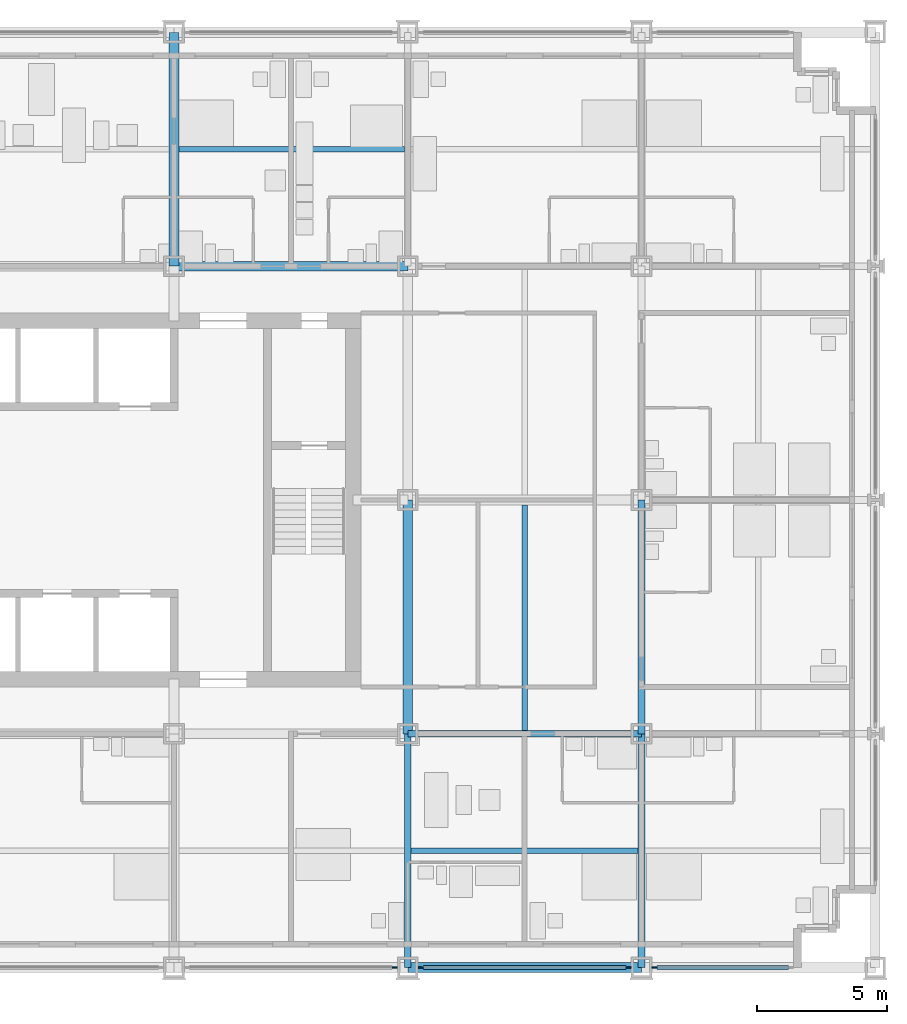
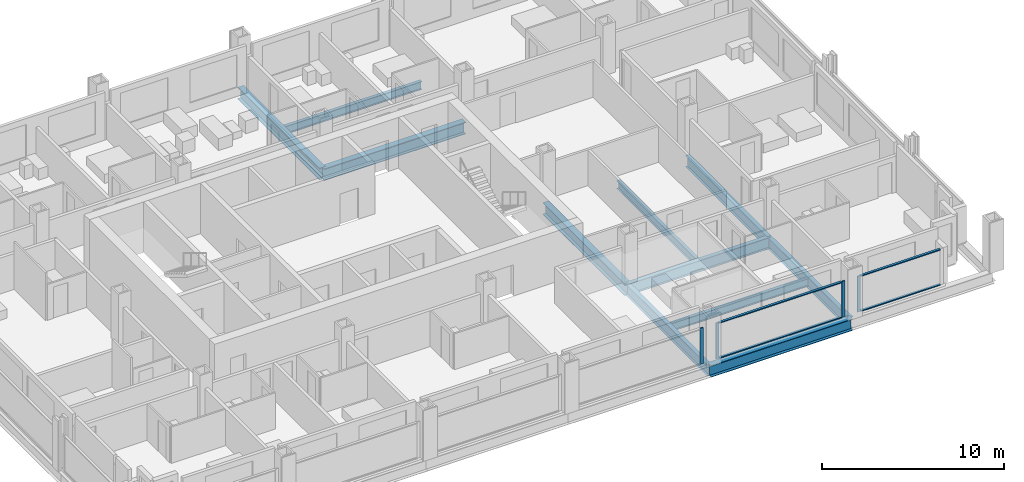
# One storey, part 5 of 18: 11 beams, 8 members, 3 elements without a shape of their own.
"""IFC4 building model written with IfcOpenShell, lengths in metres."""

from ifc_helpers import new_model, si_unit, direction, frame, origin, origin_2d, place, context, subcontext, project, spatial, rectangle, i_section, extrude, material, material_profile, profile_set, type_object, element, aggregate, save


model = new_model("IFC4")

# Units and contexts
model_context = context("Model", 3, precision=1e-05, world=origin(), true_north=direction((0.0, 1.0)))
body_context = subcontext(model_context, "Body", "Model", "MODEL_VIEW")
ifc_project = project(units=[si_unit("LENGTHUNIT", "METRE"), si_unit("AREAUNIT", "SQUARE_METRE"), si_unit("VOLUMEUNIT", "CUBIC_METRE"), si_unit("PLANEANGLEUNIT", "RADIAN"), si_unit("MASSUNIT", "GRAM", prefix="KILO")], contexts=[model_context])

# Site, building, storey
site_placement = place(None, origin())
site = spatial("IfcSite", under=ifc_project, at=site_placement, CompositionType="ELEMENT")
building_placement = place(site_placement, origin())
building = spatial("IfcBuilding", under=site, at=building_placement, Name="Loomwork Tower", CompositionType="ELEMENT")
storey_placement = place(building_placement, frame((0.0, 0.0, 34.800048828125)))
storey = spatial("IfcBuildingStorey", under=building, at=storey_placement, Name="L07", CompositionType="ELEMENT", Elevation=34.800048828125)

# Beams
ifc_material_1 = material(Name="Steel ASTM A992", Category="steel")
ifc_material_profile_1 = material_profile(ifc_material_1, i_section(OverallWidth=0.383544921875, OverallDepth=0.794921875, WebThickness=0.02099609375, FlangeThickness=0.0380859375, at=origin_2d()), Name="W30x235")
ifc_profile_set_1 = profile_set([ifc_material_profile_1], Name="Steel ASTM A992")
beam_type_1 = type_object("IfcBeamType", Name="CORE FLANK GIRDER W30x235", PredefinedType="BEAM", material=ifc_profile_set_1)
for number, where, z_axis, x_axis, name in (
    (1, (27.0, 27.0, -0.59765625), (1.0, 0.0, 0.0), (0.0, 1.0, 0.0), "Core Flank Girder G/5-G/6 L07"),
    (2, (27.0, 27.0, -0.59765625), (0.0, 1.0, 0.0), (-1.0, 0.0, 0.0), "Core Flank Girder G/5-H/5 L07"),
    (3, (36.0, 9.0, -0.59765625), (0.0, 1.0, 0.0), (-1.0, 0.0, 0.0), "Core Flank Girder E/6-F/6 L07"),
):
    element("IfcBeam", number, at=place(storey_placement, frame(where, z_axis=z_axis, x_axis=x_axis)), inside=storey, type_object=beam_type_1, Name=name, PredefinedType="BEAM", context=body_context, shape_type="SweptSolid", body=[
        extrude(i_section(OverallWidth=0.383544921875, OverallDepth=0.794921875, WebThickness=0.02099609375, FlangeThickness=0.0380859375, at=origin_2d()), origin(), (0.0, 0.0, 1.0), 9.0),
    ])
ifc_material_2 = material(Name="Steel ASTM A992", Category="steel")
ifc_material_profile_2 = material_profile(ifc_material_2, i_section(OverallWidth=0.2666015625, OverallDepth=0.761962890625, WebThickness=0.014404296875, FlangeThickness=0.021484375, at=origin_2d()), Name="W30x116")
ifc_profile_set_2 = profile_set([ifc_material_profile_2], Name="Steel ASTM A992")
beam_type_2 = type_object("IfcBeamType", Name="FLOOR GIRDER W30x116", PredefinedType="BEAM", material=ifc_profile_set_2)
for number, where, z_axis, x_axis, name in (
    (4, (36.0, 9.0, -0.5810546875), (1.0, 0.0, 0.0), (0.0, 1.0, 0.0), "Floor Girder E/6-E/7 L07"),
    (5, (36.0, 0.0, -0.5810546875), (0.0, 1.0, 0.0), (-1.0, 0.0, 0.0), "Floor Girder D/6-E/6 L07"),
    (6, (45.0, 0.0, -0.5810546875), (0.0, 1.0, 0.0), (-1.0, 0.0, 0.0), "Floor Girder D/7-E/7 L07"),
    (7, (45.0, 9.0, -0.5810546875), (0.0, 1.0, 0.0), (-1.0, 0.0, 0.0), "Floor Girder E/7-F/7 L07"),
):
    element("IfcBeam", number, at=place(storey_placement, frame(where, z_axis=z_axis, x_axis=x_axis)), inside=storey, type_object=beam_type_2, Name=name, PredefinedType="BEAM", context=body_context, shape_type="SweptSolid", body=[
        extrude(i_section(OverallWidth=0.2666015625, OverallDepth=0.761962890625, WebThickness=0.014404296875, FlangeThickness=0.021484375, at=origin_2d()), origin(), (0.0, 0.0, 1.0), 9.0),
    ])
ifc_material_3 = material(Name="Steel ASTM A992", Category="steel")
ifc_material_profile_3 = material_profile(ifc_material_3, i_section(OverallWidth=0.2109375, OverallDepth=0.53857421875, WebThickness=0.011474609375, FlangeThickness=0.018798828125, at=origin_2d()), Name="W21x73")
ifc_profile_set_3 = profile_set([ifc_material_profile_3], Name="Steel ASTM A992")
beam_type_3 = type_object("IfcBeamType", Name="FLOOR JOIST W21x73", PredefinedType="JOIST", material=ifc_profile_set_3)
beam_1_placement = place(storey_placement, frame((27.19091796875, 31.5, -0.46923828125), z_axis=(1.0, 0.0, 0.0), x_axis=(0.0, 1.0, 0.0)))
element("IfcBeam", 8, at=beam_1_placement, inside=storey, type_object=beam_type_3, Name="Floor Joist 27.000,31.500-36.000,31.500 L07", PredefinedType="JOIST", context=body_context, shape_type="SweptSolid", body=[
    extrude(i_section(OverallWidth=0.2109375, OverallDepth=0.53857421875, WebThickness=0.011474609375, FlangeThickness=0.018798828125, at=origin_2d()), origin(), (0.0, 0.0, 1.0), 8.676025390625),
])
beam_2_placement = place(storey_placement, frame((36.133056640625, 4.5, -0.46923828125), z_axis=(1.0, 0.0, 0.0), x_axis=(0.0, 1.0, 0.0)))
element("IfcBeam", 9, at=beam_2_placement, inside=storey, type_object=beam_type_3, Name="Floor Joist 36.000,4.500-45.000,4.500 L07", PredefinedType="JOIST", context=body_context, shape_type="SweptSolid", body=[
    extrude(i_section(OverallWidth=0.2109375, OverallDepth=0.53857421875, WebThickness=0.011474609375, FlangeThickness=0.018798828125, at=origin_2d()), origin(), (0.0, 0.0, 1.0), 8.73388671875),
])
beam_3_placement = place(storey_placement, frame((40.5, 9.133056640625, -0.46923828125), z_axis=(0.0, 1.0, 0.0), x_axis=(-1.0, 0.0, 0.0)))
element("IfcBeam", 10, at=beam_3_placement, inside=storey, type_object=beam_type_3, Name="Floor Joist 40.500,9.000-40.500,18.000 L07", PredefinedType="JOIST", context=body_context, shape_type="SweptSolid", body=[
    extrude(i_section(OverallWidth=0.2109375, OverallDepth=0.53857421875, WebThickness=0.011474609375, FlangeThickness=0.018798828125, at=origin_2d()), origin(), (0.0, 0.0, 1.0), 8.676025390625),
])

# Curtain wall, member
ifc_material_4 = material(Name="Aluminium curtain wall frame", Category="aluminium")
curtain_wall_type = type_object("IfcCurtainWallType", Name="Outer skin glazing hotel", PredefinedType="NOTDEFINED", material=ifc_material_4)
curtain_wall_1_placement = place(storey_placement, origin())
curtain_wall_1 = element("IfcCurtainWall", 11, at=curtain_wall_1_placement, inside=storey, type_object=curtain_wall_type, Name="Outer skin glazing hotel cw/S-27", PredefinedType="NOTDEFINED")
ifc_material_5 = material(Name="Aluminium curtain wall frame", Category="aluminium")
ifc_material_profile_4 = material_profile(ifc_material_5, rectangle(XDim=0.06494140625, YDim=0.199951171875, at=origin_2d()), Name="AL 65x200")
ifc_profile_set_4 = profile_set([ifc_material_profile_4], Name="Aluminium curtain wall frame")
member_type_1 = type_object("IfcMemberType", Name="Outer skin glazing hotel mullion", PredefinedType="MULLION", material=ifc_profile_set_4)
member_1_placement = place(storey_placement, frame((35.5, 0.0, 0.0), z_axis=(0.0, 0.0, 1.0), x_axis=(0.0, 1.0, 0.0)))
member_1 = element("IfcMember", 12, at=member_1_placement, type_object=member_type_1, Name="CW1 mullion 2", PredefinedType="MULLION", context=body_context, shape_type="SweptSolid", body=[
    extrude(rectangle(XDim=0.06494140625, YDim=0.199951171875, at=origin_2d()), origin(), (0.0, 0.0, 1.0), 2.420166015625),
])
aggregate(curtain_wall_1, [member_1])

# Curtain wall, members
curtain_wall_2_placement = place(storey_placement, origin())
curtain_wall_2 = element("IfcCurtainWall", 13, at=curtain_wall_2_placement, inside=storey, type_object=curtain_wall_type, Name="Outer skin glazing hotel cw/S-36", PredefinedType="NOTDEFINED")
member_2_placement = place(storey_placement, frame((36.5, 0.0, 0.0), z_axis=(0.0, 0.0, 1.0), x_axis=(0.0, 1.0, 0.0)))
member_2 = element("IfcMember", 14, at=member_2_placement, type_object=member_type_1, Name="CW1 mullion 1", PredefinedType="MULLION", context=body_context, shape_type="SweptSolid", body=[
    extrude(rectangle(XDim=0.06494140625, YDim=0.199951171875, at=origin_2d()), origin(), (0.0, 0.0, 1.0), 2.420166015625),
])
member_3_placement = place(storey_placement, frame((44.5, 0.0, 0.0), z_axis=(0.0, 0.0, 1.0), x_axis=(0.0, 1.0, 0.0)))
member_3 = element("IfcMember", 15, at=member_3_placement, type_object=member_type_1, Name="CW1 mullion 2", PredefinedType="MULLION", context=body_context, shape_type="SweptSolid", body=[
    extrude(rectangle(XDim=0.06494140625, YDim=0.199951171875, at=origin_2d()), origin(), (0.0, 0.0, 1.0), 2.420166015625),
])

# Curtain wall, member
curtain_wall_3_placement = place(storey_placement, origin())
curtain_wall_3 = element("IfcCurtainWall", 16, at=curtain_wall_3_placement, inside=storey, type_object=curtain_wall_type, Name="Outer skin glazing hotel cw/S-45", PredefinedType="NOTDEFINED")
member_4_placement = place(storey_placement, frame((45.5, 0.0, 0.0), z_axis=(0.0, 0.0, 1.0), x_axis=(0.0, 1.0, 0.0)))
member_4 = element("IfcMember", 17, at=member_4_placement, type_object=member_type_1, Name="CW1 mullion 1", PredefinedType="MULLION", context=body_context, shape_type="SweptSolid", body=[
    extrude(rectangle(XDim=0.06494140625, YDim=0.199951171875, at=origin_2d()), origin(), (0.0, 0.0, 1.0), 2.420166015625),
])

# Member
ifc_material_6 = material(Name="Aluminium curtain wall frame", Category="aluminium")
ifc_material_profile_5 = material_profile(ifc_material_6, rectangle(XDim=0.14990234375, YDim=0.06494140625, at=origin_2d()), Name="AL 65x150")
ifc_profile_set_5 = profile_set([ifc_material_profile_5], Name="Aluminium curtain wall frame")
member_type_2 = type_object("IfcMemberType", Name="Outer skin glazing hotel transom", PredefinedType="USERDEFINED", material=ifc_profile_set_5)
member_5_placement = place(storey_placement, frame((36.60009765625, 0.0, 0.032470703125), z_axis=(1.0, 0.0, 0.0), x_axis=(0.0, 1.0, 0.0)))
member_5 = element("IfcMember", 18, at=member_5_placement, type_object=member_type_2, Name="CW1 transom 1.1", ObjectType="TRANSOM", PredefinedType="USERDEFINED", context=body_context, shape_type="SweptSolid", body=[
    extrude(rectangle(XDim=0.14990234375, YDim=0.06494140625, at=origin_2d()), origin(), (0.0, 0.0, 1.0), 7.7998046875),
])

member_6_placement = place(storey_placement, frame((36.60009765625, 0.0, 2.3876953125), z_axis=(1.0, 0.0, 0.0), x_axis=(0.0, 1.0, 0.0)))
member_6 = element("IfcMember", 19, at=member_6_placement, type_object=member_type_2, Name="CW1 transom 1.2", ObjectType="TRANSOM", PredefinedType="USERDEFINED", context=body_context, shape_type="SweptSolid", body=[
    extrude(rectangle(XDim=0.14990234375, YDim=0.06494140625, at=origin_2d()), origin(), (0.0, 0.0, 1.0), 7.7998046875),
])

aggregate(curtain_wall_2, [member_2, member_3, member_5, member_6])

member_7_placement = place(storey_placement, frame((45.60009765625, 0.0, 0.032470703125), z_axis=(1.0, 0.0, 0.0), x_axis=(0.0, 1.0, 0.0)))
member_7 = element("IfcMember", 20, at=member_7_placement, type_object=member_type_2, Name="CW1 transom 1.1", ObjectType="TRANSOM", PredefinedType="USERDEFINED", context=body_context, shape_type="SweptSolid", body=[
    extrude(rectangle(XDim=0.14990234375, YDim=0.06494140625, at=origin_2d()), origin(), (0.0, 0.0, 1.0), 5.0498046875),
])

member_8_placement = place(storey_placement, frame((45.60009765625, 0.0, 2.3876953125), z_axis=(1.0, 0.0, 0.0), x_axis=(0.0, 1.0, 0.0)))
member_8 = element("IfcMember", 21, at=member_8_placement, type_object=member_type_2, Name="CW1 transom 1.2", ObjectType="TRANSOM", PredefinedType="USERDEFINED", context=body_context, shape_type="SweptSolid", body=[
    extrude(rectangle(XDim=0.14990234375, YDim=0.06494140625, at=origin_2d()), origin(), (0.0, 0.0, 1.0), 5.0498046875),
])

aggregate(curtain_wall_3, [member_4, member_7, member_8])

# Beam
ifc_material_7 = material(Name="Steel ASTM A992", Category="steel")
ifc_material_profile_6 = material_profile(ifc_material_7, i_section(OverallWidth=0.381103515625, OverallDepth=0.77978515625, WebThickness=0.01806640625, FlangeThickness=0.0302734375, at=origin_2d()), Name="W30x191")
ifc_profile_set_6 = profile_set([ifc_material_profile_6], Name="Steel ASTM A992")
beam_type_4 = type_object("IfcBeamType", Name="SPANDREL GIRDER W30x191", PredefinedType="SPANDREL", material=ifc_profile_set_6)
beam_4_placement = place(storey_placement, frame((36.0, 0.0, -0.58984375), z_axis=(1.0, 0.0, 0.0), x_axis=(0.0, 1.0, 0.0)))
element("IfcBeam", 22, at=beam_4_placement, inside=storey, type_object=beam_type_4, Name="Spandrel Girder D/6-D/7 L07", PredefinedType="SPANDREL", context=body_context, shape_type="SweptSolid", body=[
    extrude(i_section(OverallWidth=0.381103515625, OverallDepth=0.77978515625, WebThickness=0.01806640625, FlangeThickness=0.0302734375, at=origin_2d()), origin(), (0.0, 0.0, 1.0), 9.0),
])

save(model, "model.ifc")
